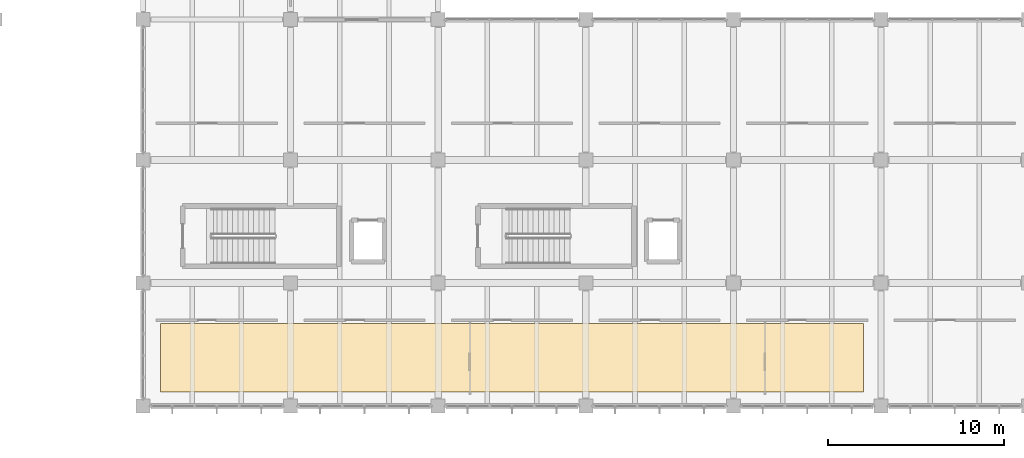
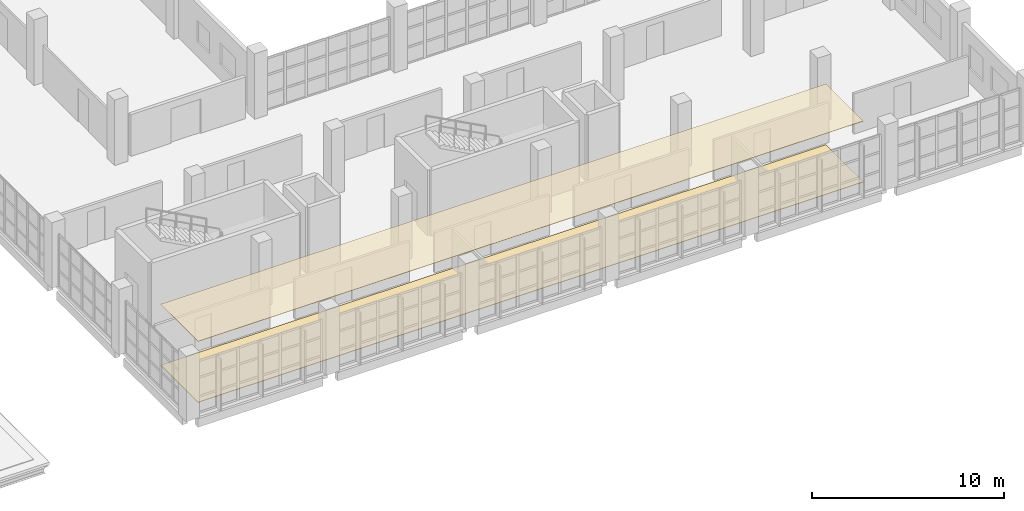
# One storey, part 160 of 177: 2 coverings.
"""IFC4 building model written with IfcOpenShell, lengths in metres."""

from ifc_helpers import new_model, si_unit, direction, frame, origin, place, context, subcontext, project, spatial, polyline, outline, extrude, material, layer, layer_set, type_object, element, save


model = new_model("IFC4")

# Units and contexts
model_context = context("Model", 3, precision=1e-05, world=origin(), true_north=direction((0.0, 1.0)))
body_context = subcontext(model_context, "Body", "Model", "MODEL_VIEW")
ifc_project = project(units=[si_unit("LENGTHUNIT", "METRE"), si_unit("AREAUNIT", "SQUARE_METRE"), si_unit("VOLUMEUNIT", "CUBIC_METRE"), si_unit("PLANEANGLEUNIT", "RADIAN"), si_unit("MASSUNIT", "GRAM", prefix="KILO"), si_unit("THERMODYNAMICTEMPERATUREUNIT", "KELVIN"), si_unit("POWERUNIT", "WATT")], contexts=[model_context])

# Site, building, storey
site_placement = place(None, origin())
site = spatial("IfcSite", under=ifc_project, at=site_placement, CompositionType="ELEMENT")
building_placement = place(site_placement, origin())
building = spatial("IfcBuilding", under=site, at=building_placement, Name="Mavoryth Pier Ferry Terminal", CompositionType="ELEMENT")
storey_placement = place(building_placement, frame((0.0, 0.0, 5.43994140625)))
storey = spatial("IfcBuildingStorey", under=building, at=storey_placement, Name="L01", CompositionType="ELEMENT", Elevation=5.43994140625)

# Coverings
ifc_material_1 = material(Name="Moisture-Resistant Acoustic Gypsum Ceiling")
ifc_layer_1 = layer(ifc_material_1, 0.02490234375, Name="Moisture-Resistant Acoustic Gypsum Ceiling")
ifc_layer_set_1 = layer_set([ifc_layer_1], Name="Moisture-Resistant Acoustic Gypsum Ceiling - Ceil-GypsumMoisture-25")
covering_type_1 = type_object("IfcCoveringType", Name="Ceil-GypsumMoisture-25", PredefinedType="CEILING", material=ifc_layer_set_1)
covering_1_placement = place(storey_placement, frame((0.0, 0.0, 3.875)))
element("IfcCovering", 1, at=covering_1_placement, inside=storey, type_object=covering_type_1, Name="Covering COV-L01-008", PredefinedType="CEILING", context=body_context, shape_type="SweptSolid", body=[
    extrude(outline(polyline([(43.0, 0.800048828125), (83.0, 0.800048828125), (83.0, 4.699951171875), (43.0, 4.699951171875), (43.0, 0.800048828125)])), origin(), (0.0, 0.0, 1.0), 0.025146484375),
])
ifc_material_2 = material(Name="Vitrified Non-Slip Porcelain Floor Tile")
ifc_layer_2 = layer(ifc_material_2, 0.031982421875, Name="Vitrified Non-Slip Porcelain Floor Tile")
ifc_layer_set_2 = layer_set([ifc_layer_2], Name="Vitrified Non-Slip Porcelain Floor Tile - Floor-PorcelainTile-32")
covering_type_2 = type_object("IfcCoveringType", Name="Floor-PorcelainTile-32", PredefinedType="FLOORING", material=ifc_layer_set_2)
covering_2_placement = place(storey_placement, origin())
element("IfcCovering", 2, at=covering_2_placement, inside=storey, type_object=covering_type_2, Name="Covering COV-L01-007", PredefinedType="FLOORING", context=body_context, shape_type="SweptSolid", body=[
    extrude(outline(polyline([(43.0, 0.800048828125), (83.0, 0.800048828125), (83.0, 4.699951171875), (43.0, 4.699951171875), (43.0, 0.800048828125)])), origin(), (0.0, 0.0, 1.0), 0.031982421875),
])

save(model, "model.ifc")
